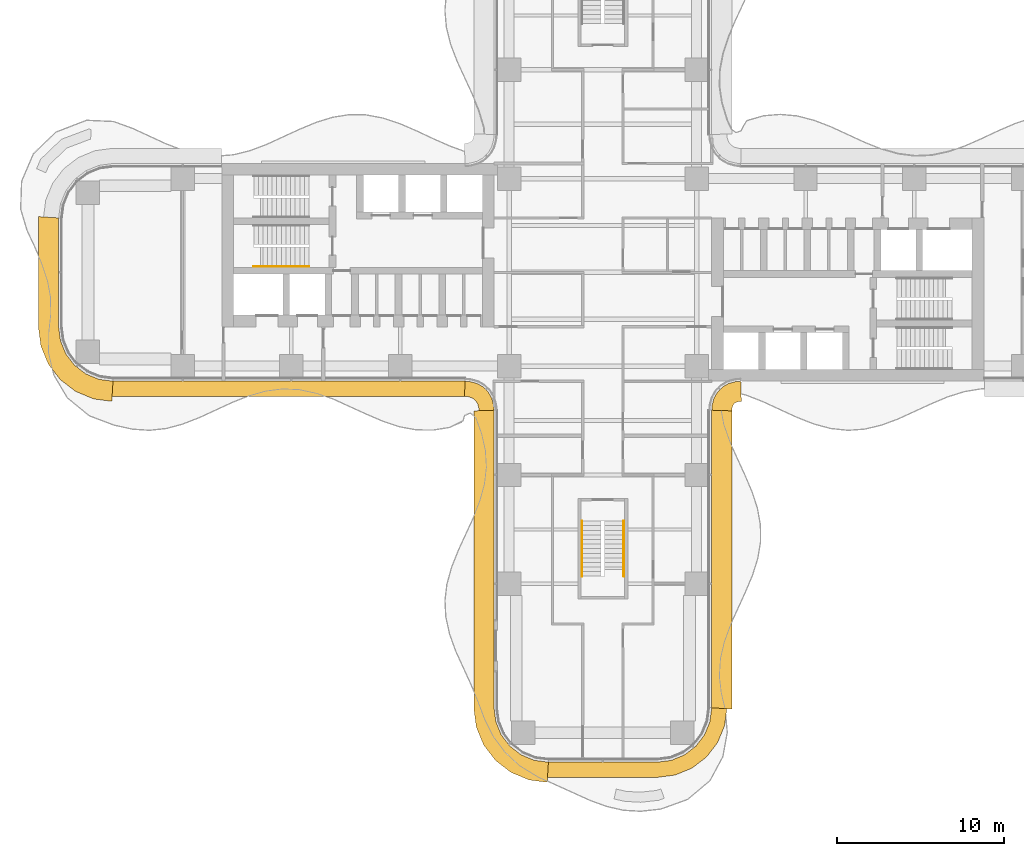
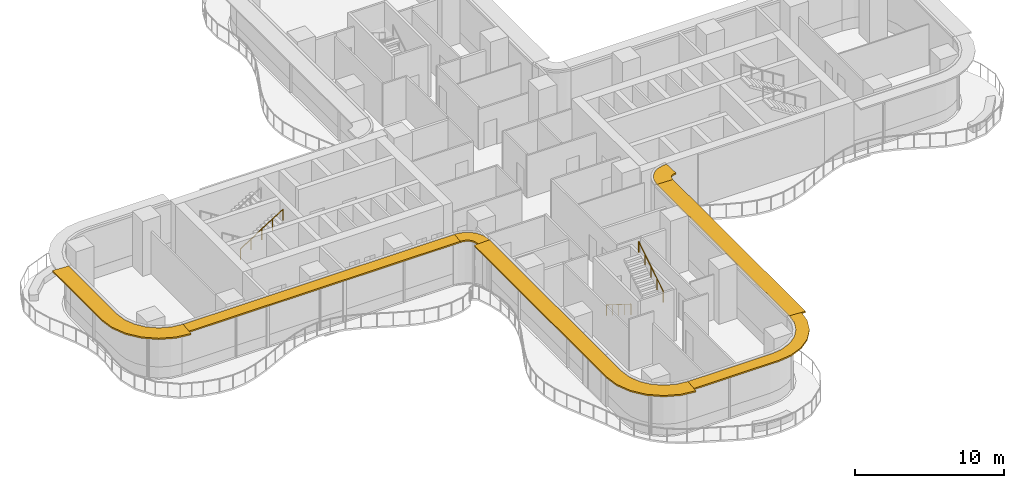
# One storey, part 21 of 22: 7 shading devices, 3 railings.
"""IFC4 building model written with IfcOpenShell, lengths in metres."""

from ifc_helpers import new_model, si_unit, direction, frame, origin, origin_2d, place, context, subcontext, project, spatial, polyline, circle, outline, extrude, source, transform, mapped, material, layer, layer_set, type_object, element, save


model = new_model("IFC4")

# Units and contexts
model_context = context("Model", 3, precision=1e-05, world=origin(), true_north=direction((0.0, 1.0)))
body_context = subcontext(model_context, "Body", "Model", "MODEL_VIEW")
ifc_project = project(units=[si_unit("LENGTHUNIT", "METRE"), si_unit("AREAUNIT", "SQUARE_METRE"), si_unit("VOLUMEUNIT", "CUBIC_METRE"), si_unit("PLANEANGLEUNIT", "RADIAN"), si_unit("MASSUNIT", "GRAM", prefix="KILO")], contexts=[model_context])

# Site, building, storey
site_placement = place(None, origin())
site = spatial("IfcSite", under=ifc_project, at=site_placement, CompositionType="ELEMENT")
building_placement = place(site_placement, origin())
building = spatial("IfcBuilding", under=site, at=building_placement, Name="Trellis Farm Tower", CompositionType="ELEMENT")
storey_placement = place(building_placement, frame((0.0, 0.0, 56.5)))
storey = spatial("IfcBuildingStorey", under=building, at=storey_placement, Name="L11", CompositionType="ELEMENT", Elevation=56.5)

# Railings
ifc_material_1 = material(Name="Stainless steel", Category="steel")
railing_type = type_object("IfcRailingType", Name="STAIR HANDRAIL 900", PredefinedType="HANDRAIL", material=ifc_material_1)
shared_shape_1 = source(origin(), body_context, "Body", "SweptSolid", [
    extrude(circle(Radius=0.02392578125, at=origin_2d()), frame((0.0, 0.0, 0.8759765625), z_axis=(0.0, 0.846319618018, 0.532675421018), x_axis=(-1.0, 0.0, 0.0)), (0.0, 0.0, 1.0), 3.89892578125),
    extrude(circle(Radius=0.02099609375, at=origin_2d()), origin(), (0.0, 0.0, 1.0), 0.851806640625),
    extrude(circle(Radius=0.02099609375, at=origin_2d()), frame((0.0, 0.824951171875, 0.519287109375)), (0.0, 0.0, 1.0), 0.851806640625),
    extrude(circle(Radius=0.02099609375, at=origin_2d()), frame((0.0, 1.64990234375, 1.03857421875)), (0.0, 0.0, 1.0), 0.851806640625),
    extrude(circle(Radius=0.02099609375, at=origin_2d()), frame((0.0, 2.474853515625, 1.5576171875)), (0.0, 0.0, 1.0), 0.851806640625),
    extrude(circle(Radius=0.02099609375, at=origin_2d()), frame((0.0, 3.2998046875, 2.076904296875)), (0.0, 0.0, 1.0), 0.851806640625),
])
railing_1_placement = place(storey_placement, frame((1.25, -18.14990234375, 2.423095703125)))
element("IfcRailing", 1, at=railing_1_placement, inside=storey, type_object=railing_type, Name="Stair handrail", PredefinedType="HANDRAIL", context=body_context, shape_type="MappedRepresentation", body=[
    mapped(shared_shape_1, transform((0.0, 0.0, 0.0))),
])
shared_shape_2 = source(origin(), body_context, "Body", "SweptSolid", [
    extrude(circle(Radius=0.02392578125, at=origin_2d()), frame((0.0, 0.0, 0.8759765625), z_axis=(0.0, -0.846319618018, 0.532675421018), x_axis=(1.0, 0.0, 0.0)), (0.0, 0.0, 1.0), 3.89892578125),
    extrude(circle(Radius=0.02099609375, at=origin_2d()), origin(), (0.0, 0.0, 1.0), 0.851806640625),
    extrude(circle(Radius=0.02099609375, at=origin_2d()), frame((0.0, -0.824951171875, 0.519287109375)), (0.0, 0.0, 1.0), 0.851806640625),
    extrude(circle(Radius=0.02099609375, at=origin_2d()), frame((0.0, -1.64990234375, 1.03857421875)), (0.0, 0.0, 1.0), 0.851806640625),
    extrude(circle(Radius=0.02099609375, at=origin_2d()), frame((0.0, -2.474853515625, 1.5576171875)), (0.0, 0.0, 1.0), 0.851806640625),
    extrude(circle(Radius=0.02099609375, at=origin_2d()), frame((0.0, -3.2998046875, 2.076904296875)), (0.0, 0.0, 1.0), 0.851806640625),
])
railing_2_placement = place(storey_placement, frame((-1.25, -14.85009765625, 0.173095703125)))
element("IfcRailing", 2, at=railing_2_placement, inside=storey, type_object=railing_type, Name="Stair handrail", PredefinedType="HANDRAIL", context=body_context, shape_type="MappedRepresentation", body=[
    mapped(shared_shape_2, transform((0.0, 0.0, 0.0))),
])
shared_shape_3 = source(origin(), body_context, "Body", "SweptSolid", [
    extrude(circle(Radius=0.02392578125, at=origin_2d()), frame((0.0, 0.0, 0.8759765625), z_axis=(0.846337383501, 0.0, 0.532647194011), x_axis=(0.0, 1.0, 0.0)), (0.0, 0.0, 1.0), 3.899169921875),
    extrude(circle(Radius=0.02099609375, at=origin_2d()), origin(), (0.0, 0.0, 1.0), 0.851806640625),
    extrude(circle(Radius=0.02099609375, at=origin_2d()), frame((0.824951171875, 0.0, 0.519287109375)), (0.0, 0.0, 1.0), 0.851806640625),
    extrude(circle(Radius=0.02099609375, at=origin_2d()), frame((1.64990234375, 0.0, 1.03857421875)), (0.0, 0.0, 1.0), 0.851806640625),
    extrude(circle(Radius=0.02099609375, at=origin_2d()), frame((2.47509765625, 0.0, 1.5576171875)), (0.0, 0.0, 1.0), 0.851806640625),
    extrude(circle(Radius=0.02099609375, at=origin_2d()), frame((3.300048828125, 0.0, 2.076904296875)), (0.0, 0.0, 1.0), 0.851806640625),
])
railing_3_placement = place(storey_placement, frame((-20.85009765625, 0.35009765625, 2.423095703125)))
element("IfcRailing", 3, at=railing_3_placement, inside=storey, type_object=railing_type, Name="Stair handrail", PredefinedType="HANDRAIL", context=body_context, shape_type="MappedRepresentation", body=[
    mapped(shared_shape_3, transform((0.0, 0.0, 0.0))),
])

# Shading devices
ifc_material_2 = material(Name="Aluminium extrusion 6063-T6", Category="aluminium")
ifc_layer_1 = layer(ifc_material_2, 0.1201171875)
ifc_layer_set_1 = layer_set([ifc_layer_1], Name="SUNSHADE BLADE 900")
shading_device_type_1 = type_object("IfcShadingDeviceType", Name="SUNSHADE BLADE 900", PredefinedType="USERDEFINED", material=ifc_layer_set_1)
shared_shape_4 = source(origin(), body_context, "Body", "SweptSolid", [
    extrude(outline(polyline([(-29.30908203125, -7.39990234375), (-8.2607421875, -7.39990234375), (-8.2314453125, -6.5), (-29.25, -6.5), (-29.30908203125, -7.39990234375)])), origin(), (0.0, 0.0, 1.0), 0.119873046875),
])
placement = place(storey_placement, frame((0.0, 0.0, 4.090087890625)))
element("IfcShadingDevice", 4, at=placement, inside=storey, type_object=shading_device_type_1, Name="SD1 001", ObjectType="SUNSHADE", PredefinedType="USERDEFINED", context=body_context, shape_type="MappedRepresentation", body=[
    mapped(shared_shape_4, transform((0.0, 0.0, 0.0))),
])
shared_shape_5 = source(origin(), body_context, "Body", "SweptSolid", [
    extrude(outline(polyline([(-8.2607421875, -7.39990234375), (-8.107666015625, -7.409912109375), (-8.091552734375, -7.412109375), (-7.85595703125, -7.475341796875), (-7.697021484375, -7.567138671875), (-7.567138671875, -7.697021484375), (-7.475341796875, -7.85595703125), (-7.412109375, -8.091552734375), (-7.409912109375, -8.107666015625), (-7.39990234375, -8.2607421875), (-6.5, -8.2314453125), (-6.513916015625, -8.01953125), (-6.527587890625, -7.91552734375), (-6.63671875, -7.508544921875), (-6.846923828125, -7.144287109375), (-7.144287109375, -6.846923828125), (-7.508544921875, -6.63671875), (-7.91552734375, -6.527587890625), (-8.01953125, -6.513916015625), (-8.2314453125, -6.5), (-8.2607421875, -7.39990234375)])), origin(), (0.0, 0.0, 1.0), 0.119873046875),
])
element("IfcShadingDevice", 5, at=placement, inside=storey, type_object=shading_device_type_1, Name="SD1 002", ObjectType="SUNSHADE", PredefinedType="USERDEFINED", context=body_context, shape_type="MappedRepresentation", body=[
    mapped(shared_shape_5, transform((0.0, 0.0, 0.0))),
])
ifc_layer_2 = layer(ifc_material_2, 0.1201171875)
ifc_layer_set_2 = layer_set([ifc_layer_2], Name="SUNSHADE BLADE 1200")
shading_device_type_2 = type_object("IfcShadingDeviceType", Name="SUNSHADE BLADE 1200", PredefinedType="USERDEFINED", material=ifc_layer_set_2)
shared_shape_6 = source(origin(), body_context, "Body", "SweptSolid", [
    extrude(outline(polyline([(-7.699951171875, -8.270751953125), (-7.699951171875, -26.07861328125), (-7.558349609375, -27.154541015625), (-7.11279296875, -28.230224609375), (-6.404052734375, -29.154052734375), (-5.480224609375, -29.86279296875), (-4.404541015625, -30.308349609375), (-3.32861328125, -30.449951171875), (-3.25, -29.25), (-4.091064453125, -29.13916015625), (-4.875, -28.814697265625), (-5.548095703125, -28.298095703125), (-6.064697265625, -27.625), (-6.38916015625, -26.841064453125), (-6.5, -26.0), (-6.5, -8.2314453125), (-7.699951171875, -8.270751953125)])), origin(), (0.0, 0.0, 1.0), 0.119873046875),
])
element("IfcShadingDevice", 6, at=placement, inside=storey, type_object=shading_device_type_2, Name="SD2 003", ObjectType="SUNSHADE", PredefinedType="USERDEFINED", context=body_context, shape_type="MappedRepresentation", body=[
    mapped(shared_shape_6, transform((0.0, 0.0, 0.0))),
])
shared_shape_7 = source(origin(), body_context, "Body", "SweptSolid", [
    extrude(outline(polyline([(-3.30908203125, -30.14990234375), (3.30908203125, -30.14990234375), (4.326171875, -30.01611328125), (5.328857421875, -29.600830078125), (6.18994140625, -28.93994140625), (6.850830078125, -28.078857421875), (7.26611328125, -27.076171875), (7.39990234375, -26.05908203125), (6.5, -26.0), (6.38916015625, -26.841064453125), (6.064697265625, -27.625), (5.548095703125, -28.298095703125), (4.875, -28.814697265625), (4.091064453125, -29.13916015625), (3.25, -29.25), (-3.25, -29.25), (-3.30908203125, -30.14990234375)])), origin(), (0.0, 0.0, 1.0), 0.119873046875),
])
element("IfcShadingDevice", 7, at=placement, inside=storey, type_object=shading_device_type_1, Name="SD1 004", ObjectType="SUNSHADE", PredefinedType="USERDEFINED", context=body_context, shape_type="MappedRepresentation", body=[
    mapped(shared_shape_7, transform((0.0, 0.0, 0.0))),
])
shared_shape_8 = source(origin(), body_context, "Body", "SweptSolid", [
    extrude(outline(polyline([(7.699951171875, -26.07861328125), (7.699951171875, -8.270751953125), (6.5, -8.2314453125), (6.5, -26.0), (7.699951171875, -26.07861328125)])), origin(), (0.0, 0.0, 1.0), 0.119873046875),
])
element("IfcShadingDevice", 8, at=placement, inside=storey, type_object=shading_device_type_2, Name="SD2 005", ObjectType="SUNSHADE", PredefinedType="USERDEFINED", context=body_context, shape_type="MappedRepresentation", body=[
    mapped(shared_shape_8, transform((0.0, 0.0, 0.0))),
])
shared_shape_9 = source(origin(), body_context, "Body", "SweptSolid", [
    extrude(outline(polyline([(7.699951171875, -8.270751953125), (7.708740234375, -8.13720703125), (7.70703125, -8.150146484375), (7.7548828125, -7.9716796875), (7.80712890625, -7.881103515625), (7.881103515625, -7.80712890625), (7.9716796875, -7.7548828125), (8.150146484375, -7.70703125), (8.13720703125, -7.708740234375), (8.270751953125, -7.699951171875), (8.2314453125, -6.5), (8.01953125, -6.513916015625), (7.91552734375, -6.527587890625), (7.508544921875, -6.63671875), (7.144287109375, -6.846923828125), (6.846923828125, -7.144287109375), (6.63671875, -7.508544921875), (6.527587890625, -7.91552734375), (6.513916015625, -8.01953125), (6.5, -8.2314453125), (7.699951171875, -8.270751953125)])), origin(), (0.0, 0.0, 1.0), 0.119873046875),
])
element("IfcShadingDevice", 9, at=placement, inside=storey, type_object=shading_device_type_2, Name="SD2 006", ObjectType="SUNSHADE", PredefinedType="USERDEFINED", context=body_context, shape_type="MappedRepresentation", body=[
    mapped(shared_shape_9, transform((0.0, 0.0, 0.0))),
])
shared_shape_10 = source(origin(), body_context, "Body", "SweptSolid", [
    extrude(outline(polyline([(-33.699951171875, 3.32861328125), (-33.699951171875, -3.32861328125), (-33.558349609375, -4.404541015625), (-33.11279296875, -5.480224609375), (-32.404052734375, -6.404052734375), (-31.480224609375, -7.11279296875), (-30.404541015625, -7.558349609375), (-29.32861328125, -7.699951171875), (-29.25, -6.5), (-30.091064453125, -6.38916015625), (-30.875, -6.064697265625), (-31.548095703125, -5.548095703125), (-32.064697265625, -4.875), (-32.38916015625, -4.091064453125), (-32.5, -3.25), (-32.5, 3.25), (-33.699951171875, 3.32861328125)])), origin(), (0.0, 0.0, 1.0), 0.119873046875),
])
element("IfcShadingDevice", 10, at=placement, inside=storey, type_object=shading_device_type_2, Name="SD2 016", ObjectType="SUNSHADE", PredefinedType="USERDEFINED", context=body_context, shape_type="MappedRepresentation", body=[
    mapped(shared_shape_10, transform((0.0, 0.0, 0.0))),
])

save(model, "model.ifc")
